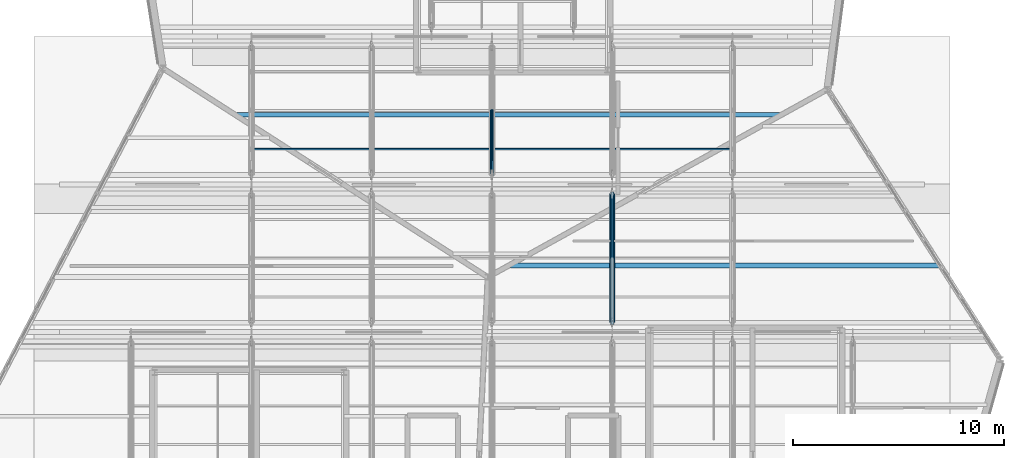
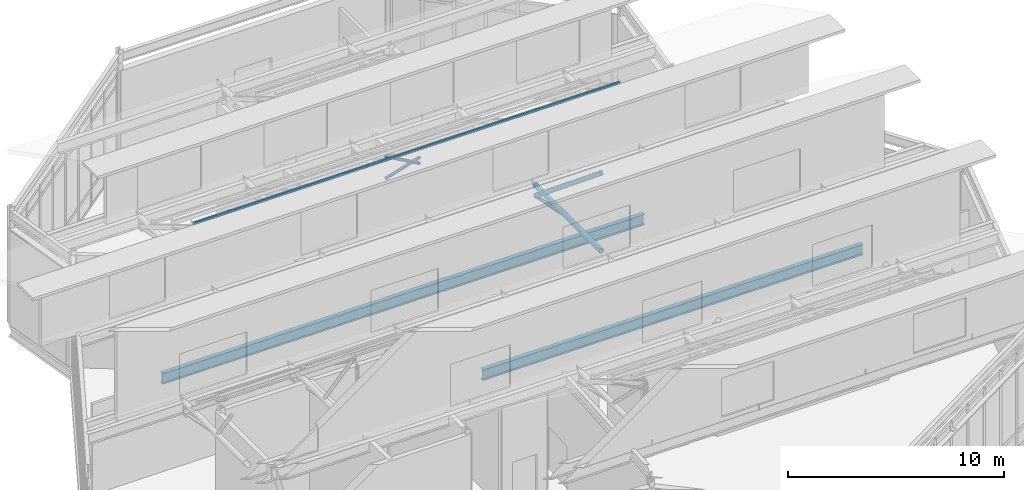
# One storey, part 30 of 55: 5 members, 3 beams.
"""IFC4 building model written with IfcOpenShell, lengths in metres."""

from ifc_helpers import new_model, si_unit, direction, frame, origin, origin_2d, place, context, subcontext, project, spatial, hollow_rectangle, hollow_circle, i_section, extrude, material, material_profile, profile_set, type_object, element, save


model = new_model("IFC4")

# Units and contexts
model_context = context("Model", 3, precision=1e-05, world=origin(), true_north=direction((0.0, 1.0)))
body_context = subcontext(model_context, "Body", "Model", "MODEL_VIEW")
ifc_project = project(units=[si_unit("LENGTHUNIT", "METRE"), si_unit("AREAUNIT", "SQUARE_METRE"), si_unit("VOLUMEUNIT", "CUBIC_METRE"), si_unit("PLANEANGLEUNIT", "RADIAN"), si_unit("MASSUNIT", "GRAM", prefix="KILO")], contexts=[model_context])

# Site, building, storey
site_placement = place(None, origin())
site = spatial("IfcSite", under=ifc_project, at=site_placement, CompositionType="ELEMENT")
building_placement = place(site_placement, origin())
building = spatial("IfcBuilding", under=site, at=building_placement, Name="Tameran Prism Museum", CompositionType="ELEMENT")
storey_placement = place(building_placement, frame((0.0, 0.0, 28.800048828125)))
storey = spatial("IfcBuildingStorey", under=building, at=storey_placement, Name="L05", CompositionType="ELEMENT", Elevation=28.800048828125)

# Beams
ifc_material_1 = material(Name="Steel Grade C350L0 (350 MPa)", Category="steel")
ifc_material_profile_1 = material_profile(ifc_material_1, hollow_rectangle(XDim=0.10009765625, YDim=0.14990234375, WallThickness=0.006103515625, InnerFilletRadius=0.009033203125, OuterFilletRadius=0.014892578125, at=origin_2d()))
ifc_profile_set_1 = profile_set([ifc_material_profile_1])
beam_type_1 = type_object("IfcBeamType", Name="BM-PUR150", PredefinedType="USERDEFINED", material=ifc_profile_set_1)
beam_1_placement = place(storey_placement, frame((107.60009765625, 95.1640625, 8.9140625), z_axis=(1.0, 0.0, 0.0), x_axis=(0.0, 1.0, 0.0)))
element("IfcBeam", 1, at=beam_1_placement, inside=storey, type_object=beam_type_1, Name="Sawtooth Purlin PR-019", ObjectType="PURLIN", PredefinedType="USERDEFINED", context=body_context, shape_type="SweptSolid", body=[
    extrude(hollow_rectangle(XDim=0.10009765625, YDim=0.14990234375, WallThickness=0.006103515625, InnerFilletRadius=0.009033203125, OuterFilletRadius=0.014892578125, at=origin_2d()), origin(), (0.0, 0.0, 1.0), 22.7998046875),
])
ifc_material_2 = material(Name="Steel Grade 300PLUS (300 MPa)", Category="steel")
ifc_material_profile_2 = material_profile(ifc_material_2, i_section(OverallWidth=0.22802734375, OverallDepth=0.60693359375, WebThickness=0.01123046875, FlangeThickness=0.017333984375, FilletRadius=0.013916015625, at=origin_2d()))
ifc_profile_set_2 = profile_set([ifc_material_profile_2])
beam_type_2 = type_object("IfcBeamType", Name="BM-UB610B", PredefinedType="BEAM", material=ifc_profile_set_2)
beam_2_placement = place(storey_placement, frame((119.8779296875, 89.64990234375, -0.54345703125), z_axis=(1.0, 0.0, 0.0), x_axis=(0.0, 1.0, 0.0)))
element("IfcBeam", 2, at=beam_2_placement, inside=storey, type_object=beam_type_2, Name="Floor Beam BM-1303", PredefinedType="BEAM", context=body_context, shape_type="SweptSolid", body=[
    extrude(i_section(OverallWidth=0.22802734375, OverallDepth=0.60693359375, WebThickness=0.01123046875, FlangeThickness=0.017333984375, FilletRadius=0.013916015625, at=origin_2d()), origin(), (0.0, 0.0, 1.0), 20.323974609375),
])
beam_3_placement = place(storey_placement, frame((106.89599609375, 96.800048828125, -0.54345703125), z_axis=(1.0, 0.0, 0.0), x_axis=(0.0, 1.0, 0.0)))
element("IfcBeam", 3, at=beam_3_placement, inside=storey, type_object=beam_type_2, Name="Floor Beam BM-1308", PredefinedType="BEAM", context=body_context, shape_type="SweptSolid", body=[
    extrude(i_section(OverallWidth=0.22802734375, OverallDepth=0.60693359375, WebThickness=0.01123046875, FlangeThickness=0.017333984375, FilletRadius=0.013916015625, at=origin_2d()), origin(), (0.0, 0.0, 1.0), 25.7509765625),
])

# Members
ifc_material_3 = material(Name="Steel Grade C350L0 (350 MPa)", Category="steel")
ifc_material_profile_3 = material_profile(ifc_material_3, hollow_circle(Radius=0.084228515625, WallThickness=0.007080078125, at=origin_2d()))
ifc_profile_set_3 = profile_set([ifc_material_profile_3])
member_type_1 = type_object("IfcMemberType", Name="MM-BR-CHS168", PredefinedType="BRACE", material=ifc_profile_set_3)
member_1_placement = place(storey_placement, frame((124.699951171875, 90.0, 6.385986328125), z_axis=(0.0, 0.981426640065, -0.191837822575), x_axis=(-1.0, 0.0, 0.0)))
element("IfcMember", 4, at=member_1_placement, inside=storey, type_object=member_type_1, Name="Sawtooth Brace STM-0104", PredefinedType="BRACE", context=body_context, shape_type="SweptSolid", body=[
    extrude(hollow_circle(Radius=0.084228515625, WallThickness=0.007080078125, at=origin_2d()), origin(), (0.0, 0.0, 1.0), 3.117919921875),
])
member_2_placement = place(storey_placement, frame((119.0, 97.0, 6.385986328125), z_axis=(0.0, -0.711407246691, 0.70278000068), x_axis=(1.0, 0.0, 0.0)))
element("IfcMember", 5, at=member_2_placement, inside=storey, type_object=member_type_1, Name="Sawtooth Brace STM-0131", PredefinedType="BRACE", context=body_context, shape_type="SweptSolid", body=[
    extrude(hollow_circle(Radius=0.084228515625, WallThickness=0.007080078125, at=origin_2d()), origin(), (0.0, 0.0, 1.0), 4.301513671875),
])
ifc_material_4 = material(Name="Steel Grade C350L0 (350 MPa)", Category="steel")
ifc_material_profile_4 = material_profile(ifc_material_4, hollow_circle(Radius=0.136474609375, WallThickness=0.00927734375, at=origin_2d()))
ifc_profile_set_4 = profile_set([ifc_material_profile_4])
member_type_2 = type_object("IfcMemberType", Name="MM-CH-CHS273", PredefinedType="CHORD", material=ifc_profile_set_4)
member_3_placement = place(storey_placement, frame((124.699951171875, 86.93994140625, 6.385986328125), z_axis=(0.0, 1.0, 0.0), x_axis=(-1.0, 0.0, 0.0)))
element("IfcMember", 6, at=member_3_placement, inside=storey, type_object=member_type_2, Name="Sawtooth Chord STM-0099", PredefinedType="CHORD", context=body_context, shape_type="SweptSolid", body=[
    extrude(hollow_circle(Radius=0.136474609375, WallThickness=0.00927734375, at=origin_2d()), origin(), (0.0, 0.0, 1.0), 6.1201171875),
])
ifc_material_5 = material(Name="Steel Grade C350L0 (350 MPa)", Category="steel")
ifc_material_profile_5 = material_profile(ifc_material_5, hollow_rectangle(XDim=0.14990234375, YDim=0.25, WallThickness=0.009033203125, InnerFilletRadius=0.013427734375, OuterFilletRadius=0.0224609375, at=origin_2d()))
ifc_profile_set_5 = profile_set([ifc_material_profile_5])
member_type_3 = type_object("IfcMemberType", Name="MM-RF-RHS250", PredefinedType="RAFTER", material=ifc_profile_set_5)
member_4_placement = place(storey_placement, frame((124.699951171875, 86.93994140625, 10.787841796875), z_axis=(0.0, 0.774414062505, -0.632679112817), x_axis=(-1.0, 0.0, 0.0)))
element("IfcMember", 7, at=member_4_placement, inside=storey, type_object=member_type_3, Name="Sawtooth Rafter STM-0100", PredefinedType="RAFTER", context=body_context, shape_type="SweptSolid", body=[
    extrude(hollow_rectangle(XDim=0.14990234375, YDim=0.25, WallThickness=0.009033203125, InnerFilletRadius=0.013427734375, OuterFilletRadius=0.0224609375, at=origin_2d()), origin(), (0.0, 0.0, 1.0), 7.90283203125),
])
ifc_material_6 = material(Name="Steel Grade C350L0 (350 MPa)", Category="steel")
ifc_material_profile_6 = material_profile(ifc_material_6, hollow_circle(Radius=0.084228515625, WallThickness=0.007080078125, at=origin_2d()))
ifc_profile_set_6 = profile_set([ifc_material_profile_6])
member_type_4 = type_object("IfcMemberType", Name="MM-ST-CHS168", PredefinedType="STRUT", material=ifc_profile_set_6)
member_5_placement = place(storey_placement, frame((119.0, 93.93994140625, 9.0888671875), z_axis=(0.0, 0.900239175025, -0.435395713978), x_axis=(-1.0, 0.0, 0.0)))
element("IfcMember", 8, at=member_5_placement, inside=storey, type_object=member_type_4, Name="Sawtooth Strut STM-0133", PredefinedType="STRUT", context=body_context, shape_type="SweptSolid", body=[
    extrude(hollow_circle(Radius=0.084228515625, WallThickness=0.007080078125, at=origin_2d()), origin(), (0.0, 0.0, 1.0), 3.399169921875),
])

save(model, "model.ifc")
